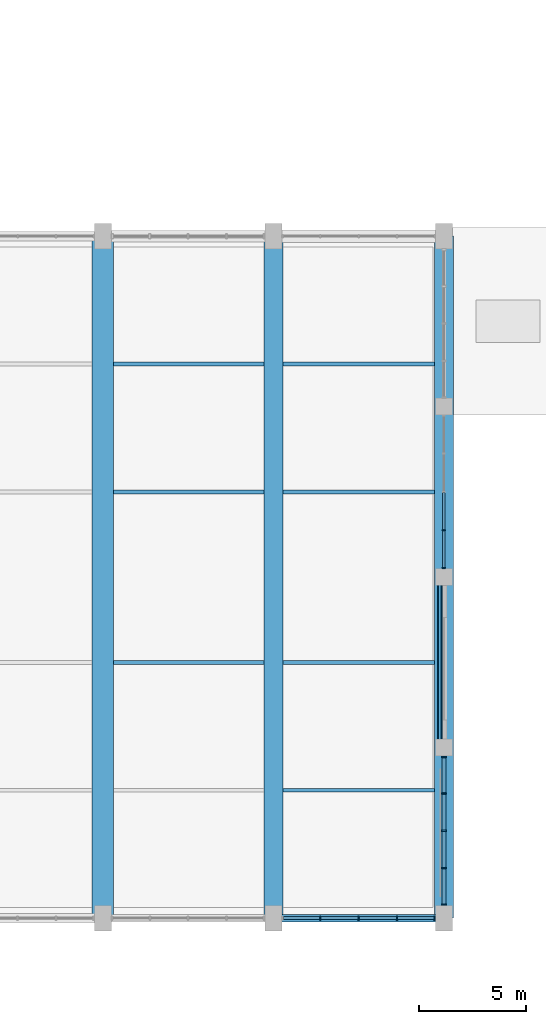
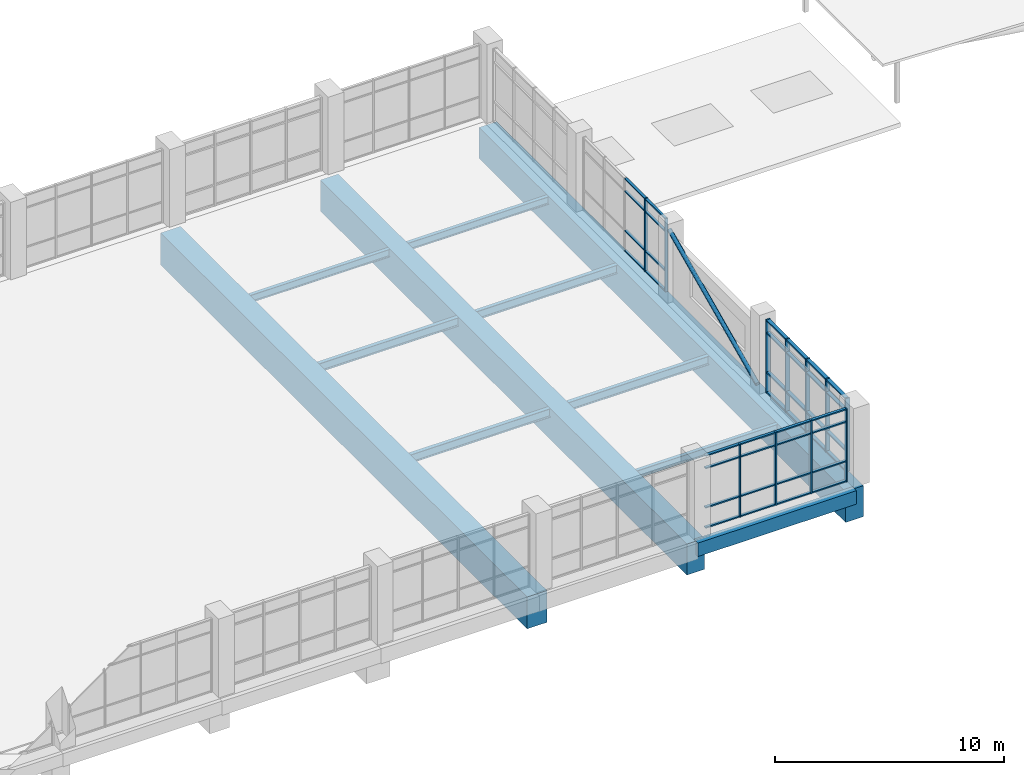
# One storey, part 8 of 84: 52 members, 11 beams, 3 elements without a shape of their own.
"""IFC4 building model written with IfcOpenShell, lengths in metres."""

from ifc_helpers import new_model, si_unit, direction, frame, origin, origin_2d, place, context, subcontext, project, spatial, rectangle, hollow_circle, i_section, extrude, material, material_profile, profile_set, type_object, element, aggregate, save


model = new_model("IFC4")

# Units and contexts
model_context = context("Model", 3, precision=1e-05, world=origin(), true_north=direction((0.0, 1.0)))
body_context = subcontext(model_context, "Body", "Model", "MODEL_VIEW")
ifc_project = project(units=[si_unit("LENGTHUNIT", "METRE"), si_unit("AREAUNIT", "SQUARE_METRE"), si_unit("VOLUMEUNIT", "CUBIC_METRE"), si_unit("PLANEANGLEUNIT", "RADIAN"), si_unit("MASSUNIT", "GRAM", prefix="KILO")], contexts=[model_context])

# Site, building, storey
site_placement = place(None, origin())
site = spatial("IfcSite", under=ifc_project, at=site_placement, CompositionType="ELEMENT")
building_placement = place(site_placement, origin())
building = spatial("IfcBuilding", under=site, at=building_placement, Name="Tenunan Teduh Sports Hall", CompositionType="ELEMENT")
storey_placement = place(building_placement, frame((0.0, 0.0, 10.800048828125)))
storey = spatial("IfcBuildingStorey", under=building, at=storey_placement, Name="L02", CompositionType="ELEMENT", Elevation=10.800048828125)

# Beam
ifc_material_1 = material(Name="Concrete C40/50", Category="concrete")
ifc_material_profile_1 = material_profile(ifc_material_1, rectangle(XDim=0.35009765625, YDim=0.719970703125, at=origin_2d()), Name="TB 350x720")
ifc_profile_set_1 = profile_set([ifc_material_profile_1], Name="Concrete C40/50")
beam_type_1 = type_object("IfcBeamType", Name="BM-TB-350x720", PredefinedType="T_BEAM", material=ifc_profile_set_1)
beam_1_placement = place(storey_placement, frame((46.0, 14.0, -0.91015625), z_axis=(1.0, 0.0, 0.0), x_axis=(0.0, 1.0, 0.0)))
element("IfcBeam", 1, at=beam_1_placement, inside=storey, type_object=beam_type_1, Name="BM-TB-01-L02-1457", PredefinedType="T_BEAM", context=body_context, shape_type="SweptSolid", body=[
    extrude(rectangle(XDim=0.35009765625, YDim=0.719970703125, at=origin_2d()), origin(), (0.0, 0.0, 1.0), 8.0),
])

# Curtain wall, members
ifc_material_2 = material(Name="Anodised aluminium", Category="aluminium")
curtain_wall_type = type_object("IfcCurtainWallType", Name="CW-UNIT-2", PredefinedType="NOTDEFINED", material=ifc_material_2)
curtain_wall_1_placement = place(storey_placement, origin())
curtain_wall_1 = element("IfcCurtainWall", 2, at=curtain_wall_1_placement, inside=storey, type_object=curtain_wall_type, Name="CW-CWM-150-L02-071", PredefinedType="NOTDEFINED")
ifc_material_3 = material(Name="Anodised aluminium", Category="aluminium")
ifc_material_profile_2 = material_profile(ifc_material_3, rectangle(XDim=0.06005859375, YDim=0.14990234375, at=origin_2d()), Name="CWM 60x150")
ifc_profile_set_2 = profile_set([ifc_material_profile_2], Name="Anodised aluminium")
member_type_1 = type_object("IfcMemberType", Name="CWM-150", PredefinedType="MULLION", material=ifc_profile_set_2)
member_1_placement = place(storey_placement, frame((54.0, 30.429931640625, 0.0), z_axis=(0.0, 0.0, 1.0), x_axis=(0.0, 1.0, 0.0)))
member_1 = element("IfcMember", 3, at=member_1_placement, type_object=member_type_1, Name="CW-02 mullion 1", PredefinedType="MULLION", context=body_context, shape_type="SweptSolid", body=[
    extrude(rectangle(XDim=0.06005859375, YDim=0.14990234375, at=origin_2d()), origin(), (0.0, 0.0, 1.0), 3.89990234375),
])
member_2_placement = place(storey_placement, frame((54.0, 32.199951171875, 0.0), z_axis=(0.0, 0.0, 1.0), x_axis=(0.0, 1.0, 0.0)))
member_2 = element("IfcMember", 4, at=member_2_placement, type_object=member_type_1, Name="CW-02 mullion 2", PredefinedType="MULLION", context=body_context, shape_type="SweptSolid", body=[
    extrude(rectangle(XDim=0.06005859375, YDim=0.14990234375, at=origin_2d()), origin(), (0.0, 0.0, 1.0), 3.89990234375),
])

curtain_wall_2_placement = place(storey_placement, origin())
curtain_wall_2 = element("IfcCurtainWall", 5, at=curtain_wall_2_placement, inside=storey, type_object=curtain_wall_type, Name="CW-CWM-175-L02-066", PredefinedType="NOTDEFINED")
ifc_material_4 = material(Name="Anodised aluminium", Category="aluminium")
ifc_material_profile_3 = material_profile(ifc_material_4, rectangle(XDim=0.06494140625, YDim=0.175048828125, at=origin_2d()), Name="CWM 65x175")
ifc_profile_set_3 = profile_set([ifc_material_profile_3], Name="Anodised aluminium")
member_type_2 = type_object("IfcMemberType", Name="CWM-175", PredefinedType="MULLION", material=ifc_profile_set_3)
member_3_placement = place(storey_placement, frame((48.199951171875, 14.0, 0.0), z_axis=(0.0, 0.0, 1.0), x_axis=(1.0, 0.0, 0.0)))
member_3 = element("IfcMember", 6, at=member_3_placement, type_object=member_type_2, Name="CW-02 mullion 2", PredefinedType="MULLION", context=body_context, shape_type="SweptSolid", body=[
    extrude(rectangle(XDim=0.06494140625, YDim=0.175048828125, at=origin_2d()), origin(), (0.0, 0.0, 1.0), 3.89990234375),
])
member_4_placement = place(storey_placement, frame((50.0, 14.0, 0.0), z_axis=(0.0, 0.0, 1.0), x_axis=(1.0, 0.0, 0.0)))
member_4 = element("IfcMember", 7, at=member_4_placement, type_object=member_type_2, Name="CW-02 mullion 3", PredefinedType="MULLION", context=body_context, shape_type="SweptSolid", body=[
    extrude(rectangle(XDim=0.06494140625, YDim=0.175048828125, at=origin_2d()), origin(), (0.0, 0.0, 1.0), 3.89990234375),
])
member_5_placement = place(storey_placement, frame((51.800048828125, 14.0, 0.0), z_axis=(0.0, 0.0, 1.0), x_axis=(1.0, 0.0, 0.0)))
member_5 = element("IfcMember", 8, at=member_5_placement, type_object=member_type_2, Name="CW-02 mullion 4", PredefinedType="MULLION", context=body_context, shape_type="SweptSolid", body=[
    extrude(rectangle(XDim=0.06494140625, YDim=0.175048828125, at=origin_2d()), origin(), (0.0, 0.0, 1.0), 3.89990234375),
])
member_6_placement = place(storey_placement, frame((53.5673828125, 14.0, 0.0), z_axis=(0.0, 0.0, 1.0), x_axis=(1.0, 0.0, 0.0)))
member_6 = element("IfcMember", 9, at=member_6_placement, type_object=member_type_2, Name="CW-02 mullion 5", PredefinedType="MULLION", context=body_context, shape_type="SweptSolid", body=[
    extrude(rectangle(XDim=0.06494140625, YDim=0.175048828125, at=origin_2d()), origin(), (0.0, 0.0, 1.0), 3.89990234375),
])

curtain_wall_3_placement = place(storey_placement, origin())
curtain_wall_3 = element("IfcCurtainWall", 10, at=curtain_wall_3_placement, inside=storey, type_object=curtain_wall_type, Name="CW-CWM-220-L02-069", PredefinedType="NOTDEFINED")
ifc_material_5 = material(Name="Anodised aluminium", Category="aluminium")
ifc_material_profile_4 = material_profile(ifc_material_5, rectangle(XDim=0.074951171875, YDim=0.219970703125, at=origin_2d()), Name="CWM 75x220")
ifc_profile_set_4 = profile_set([ifc_material_profile_4], Name="Anodised aluminium")
member_type_3 = type_object("IfcMemberType", Name="CWM-220", PredefinedType="MULLION", material=ifc_profile_set_4)
member_7_placement = place(storey_placement, frame((54.0, 14.637451171875, 0.0), z_axis=(0.0, 0.0, 1.0), x_axis=(0.0, 1.0, 0.0)))
member_7 = element("IfcMember", 11, at=member_7_placement, type_object=member_type_3, Name="CW-02 mullion 1", PredefinedType="MULLION", context=body_context, shape_type="SweptSolid", body=[
    extrude(rectangle(XDim=0.074951171875, YDim=0.219970703125, at=origin_2d()), origin(), (0.0, 0.0, 1.0), 3.89990234375),
])
member_8_placement = place(storey_placement, frame((54.0, 16.35009765625, 0.0), z_axis=(0.0, 0.0, 1.0), x_axis=(0.0, 1.0, 0.0)))
member_8 = element("IfcMember", 12, at=member_8_placement, type_object=member_type_3, Name="CW-02 mullion 2", PredefinedType="MULLION", context=body_context, shape_type="SweptSolid", body=[
    extrude(rectangle(XDim=0.074951171875, YDim=0.219970703125, at=origin_2d()), origin(), (0.0, 0.0, 1.0), 3.89990234375),
])
member_9_placement = place(storey_placement, frame((54.0, 18.10009765625, 0.0), z_axis=(0.0, 0.0, 1.0), x_axis=(0.0, 1.0, 0.0)))
member_9 = element("IfcMember", 13, at=member_9_placement, type_object=member_type_3, Name="CW-02 mullion 3", PredefinedType="MULLION", context=body_context, shape_type="SweptSolid", body=[
    extrude(rectangle(XDim=0.074951171875, YDim=0.219970703125, at=origin_2d()), origin(), (0.0, 0.0, 1.0), 3.89990234375),
])
member_10_placement = place(storey_placement, frame((54.0, 19.85009765625, 0.0), z_axis=(0.0, 0.0, 1.0), x_axis=(0.0, 1.0, 0.0)))
member_10 = element("IfcMember", 14, at=member_10_placement, type_object=member_type_3, Name="CW-02 mullion 4", PredefinedType="MULLION", context=body_context, shape_type="SweptSolid", body=[
    extrude(rectangle(XDim=0.074951171875, YDim=0.219970703125, at=origin_2d()), origin(), (0.0, 0.0, 1.0), 3.89990234375),
])
member_11_placement = place(storey_placement, frame((54.0, 21.5625, 0.0), z_axis=(0.0, 0.0, 1.0), x_axis=(0.0, 1.0, 0.0)))
member_11 = element("IfcMember", 15, at=member_11_placement, type_object=member_type_3, Name="CW-02 mullion 5", PredefinedType="MULLION", context=body_context, shape_type="SweptSolid", body=[
    extrude(rectangle(XDim=0.074951171875, YDim=0.219970703125, at=origin_2d()), origin(), (0.0, 0.0, 1.0), 3.89990234375),
])

# Member
ifc_material_6 = material(Name="Anodised aluminium", Category="aluminium")
ifc_material_profile_5 = material_profile(ifc_material_6, rectangle(XDim=0.06005859375, YDim=0.1201171875, at=origin_2d()), Name="CWT 60x120")
ifc_profile_set_5 = profile_set([ifc_material_profile_5], Name="Anodised aluminium")
member_type_4 = type_object("IfcMemberType", Name="CWT-125", PredefinedType="USERDEFINED", material=ifc_profile_set_5)
member_12_placement = place(storey_placement, frame((54.0, 30.4599609375, 0.030029296875), z_axis=(0.0, 1.0, 0.0), x_axis=(0.0, 0.0, 1.0)))
member_12 = element("IfcMember", 16, at=member_12_placement, type_object=member_type_4, Name="CW-02 transom 1.1", ObjectType="TRANSOM", PredefinedType="USERDEFINED", context=body_context, shape_type="SweptSolid", body=[
    extrude(rectangle(XDim=0.06005859375, YDim=0.1201171875, at=origin_2d()), origin(), (0.0, 0.0, 1.0), 1.7099609375),
])

member_13_placement = place(storey_placement, frame((54.0, 30.4599609375, 1.099853515625), z_axis=(0.0, 1.0, 0.0), x_axis=(0.0, 0.0, 1.0)))
member_13 = element("IfcMember", 17, at=member_13_placement, type_object=member_type_4, Name="CW-02 transom 1.2", ObjectType="TRANSOM", PredefinedType="USERDEFINED", context=body_context, shape_type="SweptSolid", body=[
    extrude(rectangle(XDim=0.06005859375, YDim=0.1201171875, at=origin_2d()), origin(), (0.0, 0.0, 1.0), 1.7099609375),
])

member_14_placement = place(storey_placement, frame((54.0, 30.4599609375, 3.199951171875), z_axis=(0.0, 1.0, 0.0), x_axis=(0.0, 0.0, 1.0)))
member_14 = element("IfcMember", 18, at=member_14_placement, type_object=member_type_4, Name="CW-02 transom 1.3", ObjectType="TRANSOM", PredefinedType="USERDEFINED", context=body_context, shape_type="SweptSolid", body=[
    extrude(rectangle(XDim=0.06005859375, YDim=0.1201171875, at=origin_2d()), origin(), (0.0, 0.0, 1.0), 1.7099609375),
])

member_15_placement = place(storey_placement, frame((54.0, 30.4599609375, 3.869873046875), z_axis=(0.0, 1.0, 0.0), x_axis=(0.0, 0.0, 1.0)))
member_15 = element("IfcMember", 19, at=member_15_placement, type_object=member_type_4, Name="CW-02 transom 1.4", ObjectType="TRANSOM", PredefinedType="USERDEFINED", context=body_context, shape_type="SweptSolid", body=[
    extrude(rectangle(XDim=0.06005859375, YDim=0.1201171875, at=origin_2d()), origin(), (0.0, 0.0, 1.0), 1.7099609375),
])

member_16_placement = place(storey_placement, frame((54.0, 32.22998046875, 0.030029296875), z_axis=(0.0, 1.0, 0.0), x_axis=(0.0, 0.0, 1.0)))
member_16 = element("IfcMember", 20, at=member_16_placement, type_object=member_type_4, Name="CW-02 transom 2.1", ObjectType="TRANSOM", PredefinedType="USERDEFINED", context=body_context, shape_type="SweptSolid", body=[
    extrude(rectangle(XDim=0.06005859375, YDim=0.1201171875, at=origin_2d()), origin(), (0.0, 0.0, 1.0), 1.739990234375),
])

member_17_placement = place(storey_placement, frame((54.0, 32.22998046875, 1.099853515625), z_axis=(0.0, 1.0, 0.0), x_axis=(0.0, 0.0, 1.0)))
member_17 = element("IfcMember", 21, at=member_17_placement, type_object=member_type_4, Name="CW-02 transom 2.2", ObjectType="TRANSOM", PredefinedType="USERDEFINED", context=body_context, shape_type="SweptSolid", body=[
    extrude(rectangle(XDim=0.06005859375, YDim=0.1201171875, at=origin_2d()), origin(), (0.0, 0.0, 1.0), 1.739990234375),
])

member_18_placement = place(storey_placement, frame((54.0, 32.22998046875, 3.199951171875), z_axis=(0.0, 1.0, 0.0), x_axis=(0.0, 0.0, 1.0)))
member_18 = element("IfcMember", 22, at=member_18_placement, type_object=member_type_4, Name="CW-02 transom 2.3", ObjectType="TRANSOM", PredefinedType="USERDEFINED", context=body_context, shape_type="SweptSolid", body=[
    extrude(rectangle(XDim=0.06005859375, YDim=0.1201171875, at=origin_2d()), origin(), (0.0, 0.0, 1.0), 1.739990234375),
])

member_19_placement = place(storey_placement, frame((54.0, 32.22998046875, 3.869873046875), z_axis=(0.0, 1.0, 0.0), x_axis=(0.0, 0.0, 1.0)))
member_19 = element("IfcMember", 23, at=member_19_placement, type_object=member_type_4, Name="CW-02 transom 2.4", ObjectType="TRANSOM", PredefinedType="USERDEFINED", context=body_context, shape_type="SweptSolid", body=[
    extrude(rectangle(XDim=0.06005859375, YDim=0.1201171875, at=origin_2d()), origin(), (0.0, 0.0, 1.0), 1.739990234375),
])

aggregate(curtain_wall_1, [member_1, member_2, member_12, member_13, member_14, member_15, member_16, member_17, member_18, member_19])

ifc_material_7 = material(Name="Anodised aluminium", Category="aluminium")
ifc_material_profile_6 = material_profile(ifc_material_7, rectangle(XDim=0.06494140625, YDim=0.139892578125, at=origin_2d()), Name="CWT 65x140")
ifc_profile_set_6 = profile_set([ifc_material_profile_6], Name="Anodised aluminium")
member_type_5 = type_object("IfcMemberType", Name="CWT-150", PredefinedType="USERDEFINED", material=ifc_profile_set_6)
member_20_placement = place(storey_placement, frame((46.465087890625, 14.0, 0.032470703125), z_axis=(1.0, 0.0, 0.0), x_axis=(0.0, 0.0, 1.0)))
member_20 = element("IfcMember", 24, at=member_20_placement, type_object=member_type_5, Name="CW-02 transom 1.1", ObjectType="TRANSOM", PredefinedType="USERDEFINED", context=body_context, shape_type="SweptSolid", body=[
    extrude(rectangle(XDim=0.06494140625, YDim=0.139892578125, at=origin_2d()), origin(), (0.0, 0.0, 1.0), 1.702392578125),
])

member_21_placement = place(storey_placement, frame((46.465087890625, 14.0, 1.099853515625), z_axis=(1.0, 0.0, 0.0), x_axis=(0.0, 0.0, 1.0)))
member_21 = element("IfcMember", 25, at=member_21_placement, type_object=member_type_5, Name="CW-02 transom 1.2", ObjectType="TRANSOM", PredefinedType="USERDEFINED", context=body_context, shape_type="SweptSolid", body=[
    extrude(rectangle(XDim=0.06494140625, YDim=0.139892578125, at=origin_2d()), origin(), (0.0, 0.0, 1.0), 1.702392578125),
])

member_22_placement = place(storey_placement, frame((46.465087890625, 14.0, 3.199951171875), z_axis=(1.0, 0.0, 0.0), x_axis=(0.0, 0.0, 1.0)))
member_22 = element("IfcMember", 26, at=member_22_placement, type_object=member_type_5, Name="CW-02 transom 1.3", ObjectType="TRANSOM", PredefinedType="USERDEFINED", context=body_context, shape_type="SweptSolid", body=[
    extrude(rectangle(XDim=0.06494140625, YDim=0.139892578125, at=origin_2d()), origin(), (0.0, 0.0, 1.0), 1.702392578125),
])

member_23_placement = place(storey_placement, frame((46.465087890625, 14.0, 3.867431640625), z_axis=(1.0, 0.0, 0.0), x_axis=(0.0, 0.0, 1.0)))
member_23 = element("IfcMember", 27, at=member_23_placement, type_object=member_type_5, Name="CW-02 transom 1.4", ObjectType="TRANSOM", PredefinedType="USERDEFINED", context=body_context, shape_type="SweptSolid", body=[
    extrude(rectangle(XDim=0.06494140625, YDim=0.139892578125, at=origin_2d()), origin(), (0.0, 0.0, 1.0), 1.702392578125),
])

member_24_placement = place(storey_placement, frame((48.232421875, 14.0, 0.032470703125), z_axis=(1.0, 0.0, 0.0), x_axis=(0.0, 0.0, 1.0)))
member_24 = element("IfcMember", 28, at=member_24_placement, type_object=member_type_5, Name="CW-02 transom 2.1", ObjectType="TRANSOM", PredefinedType="USERDEFINED", context=body_context, shape_type="SweptSolid", body=[
    extrude(rectangle(XDim=0.06494140625, YDim=0.139892578125, at=origin_2d()), origin(), (0.0, 0.0, 1.0), 1.735107421875),
])

member_25_placement = place(storey_placement, frame((48.232421875, 14.0, 1.099853515625), z_axis=(1.0, 0.0, 0.0), x_axis=(0.0, 0.0, 1.0)))
member_25 = element("IfcMember", 29, at=member_25_placement, type_object=member_type_5, Name="CW-02 transom 2.2", ObjectType="TRANSOM", PredefinedType="USERDEFINED", context=body_context, shape_type="SweptSolid", body=[
    extrude(rectangle(XDim=0.06494140625, YDim=0.139892578125, at=origin_2d()), origin(), (0.0, 0.0, 1.0), 1.735107421875),
])

member_26_placement = place(storey_placement, frame((48.232421875, 14.0, 3.199951171875), z_axis=(1.0, 0.0, 0.0), x_axis=(0.0, 0.0, 1.0)))
member_26 = element("IfcMember", 30, at=member_26_placement, type_object=member_type_5, Name="CW-02 transom 2.3", ObjectType="TRANSOM", PredefinedType="USERDEFINED", context=body_context, shape_type="SweptSolid", body=[
    extrude(rectangle(XDim=0.06494140625, YDim=0.139892578125, at=origin_2d()), origin(), (0.0, 0.0, 1.0), 1.735107421875),
])

member_27_placement = place(storey_placement, frame((48.232421875, 14.0, 3.867431640625), z_axis=(1.0, 0.0, 0.0), x_axis=(0.0, 0.0, 1.0)))
member_27 = element("IfcMember", 31, at=member_27_placement, type_object=member_type_5, Name="CW-02 transom 2.4", ObjectType="TRANSOM", PredefinedType="USERDEFINED", context=body_context, shape_type="SweptSolid", body=[
    extrude(rectangle(XDim=0.06494140625, YDim=0.139892578125, at=origin_2d()), origin(), (0.0, 0.0, 1.0), 1.735107421875),
])

member_28_placement = place(storey_placement, frame((50.032470703125, 14.0, 0.032470703125), z_axis=(1.0, 0.0, 0.0), x_axis=(0.0, 0.0, 1.0)))
member_28 = element("IfcMember", 32, at=member_28_placement, type_object=member_type_5, Name="CW-02 transom 3.1", ObjectType="TRANSOM", PredefinedType="USERDEFINED", context=body_context, shape_type="SweptSolid", body=[
    extrude(rectangle(XDim=0.06494140625, YDim=0.139892578125, at=origin_2d()), origin(), (0.0, 0.0, 1.0), 1.735107421875),
])

member_29_placement = place(storey_placement, frame((50.032470703125, 14.0, 1.099853515625), z_axis=(1.0, 0.0, 0.0), x_axis=(0.0, 0.0, 1.0)))
member_29 = element("IfcMember", 33, at=member_29_placement, type_object=member_type_5, Name="CW-02 transom 3.2", ObjectType="TRANSOM", PredefinedType="USERDEFINED", context=body_context, shape_type="SweptSolid", body=[
    extrude(rectangle(XDim=0.06494140625, YDim=0.139892578125, at=origin_2d()), origin(), (0.0, 0.0, 1.0), 1.735107421875),
])

member_30_placement = place(storey_placement, frame((50.032470703125, 14.0, 3.199951171875), z_axis=(1.0, 0.0, 0.0), x_axis=(0.0, 0.0, 1.0)))
member_30 = element("IfcMember", 34, at=member_30_placement, type_object=member_type_5, Name="CW-02 transom 3.3", ObjectType="TRANSOM", PredefinedType="USERDEFINED", context=body_context, shape_type="SweptSolid", body=[
    extrude(rectangle(XDim=0.06494140625, YDim=0.139892578125, at=origin_2d()), origin(), (0.0, 0.0, 1.0), 1.735107421875),
])

member_31_placement = place(storey_placement, frame((50.032470703125, 14.0, 3.867431640625), z_axis=(1.0, 0.0, 0.0), x_axis=(0.0, 0.0, 1.0)))
member_31 = element("IfcMember", 35, at=member_31_placement, type_object=member_type_5, Name="CW-02 transom 3.4", ObjectType="TRANSOM", PredefinedType="USERDEFINED", context=body_context, shape_type="SweptSolid", body=[
    extrude(rectangle(XDim=0.06494140625, YDim=0.139892578125, at=origin_2d()), origin(), (0.0, 0.0, 1.0), 1.735107421875),
])

member_32_placement = place(storey_placement, frame((51.83251953125, 14.0, 0.032470703125), z_axis=(1.0, 0.0, 0.0), x_axis=(0.0, 0.0, 1.0)))
member_32 = element("IfcMember", 36, at=member_32_placement, type_object=member_type_5, Name="CW-02 transom 4.1", ObjectType="TRANSOM", PredefinedType="USERDEFINED", context=body_context, shape_type="SweptSolid", body=[
    extrude(rectangle(XDim=0.06494140625, YDim=0.139892578125, at=origin_2d()), origin(), (0.0, 0.0, 1.0), 1.702392578125),
])

member_33_placement = place(storey_placement, frame((51.83251953125, 14.0, 1.099853515625), z_axis=(1.0, 0.0, 0.0), x_axis=(0.0, 0.0, 1.0)))
member_33 = element("IfcMember", 37, at=member_33_placement, type_object=member_type_5, Name="CW-02 transom 4.2", ObjectType="TRANSOM", PredefinedType="USERDEFINED", context=body_context, shape_type="SweptSolid", body=[
    extrude(rectangle(XDim=0.06494140625, YDim=0.139892578125, at=origin_2d()), origin(), (0.0, 0.0, 1.0), 1.702392578125),
])

member_34_placement = place(storey_placement, frame((51.83251953125, 14.0, 3.199951171875), z_axis=(1.0, 0.0, 0.0), x_axis=(0.0, 0.0, 1.0)))
member_34 = element("IfcMember", 38, at=member_34_placement, type_object=member_type_5, Name="CW-02 transom 4.3", ObjectType="TRANSOM", PredefinedType="USERDEFINED", context=body_context, shape_type="SweptSolid", body=[
    extrude(rectangle(XDim=0.06494140625, YDim=0.139892578125, at=origin_2d()), origin(), (0.0, 0.0, 1.0), 1.702392578125),
])

member_35_placement = place(storey_placement, frame((51.83251953125, 14.0, 3.867431640625), z_axis=(1.0, 0.0, 0.0), x_axis=(0.0, 0.0, 1.0)))
member_35 = element("IfcMember", 39, at=member_35_placement, type_object=member_type_5, Name="CW-02 transom 4.4", ObjectType="TRANSOM", PredefinedType="USERDEFINED", context=body_context, shape_type="SweptSolid", body=[
    extrude(rectangle(XDim=0.06494140625, YDim=0.139892578125, at=origin_2d()), origin(), (0.0, 0.0, 1.0), 1.702392578125),
])

aggregate(curtain_wall_2, [member_3, member_4, member_5, member_6, member_20, member_21, member_22, member_23, member_24, member_25, member_26, member_27, member_28, member_29, member_30, member_31, member_32, member_33, member_34, member_35])

ifc_material_8 = material(Name="Anodised aluminium", Category="aluminium")
ifc_material_profile_7 = material_profile(ifc_material_8, rectangle(XDim=0.074951171875, YDim=0.179931640625, at=origin_2d()), Name="CWT 75x180")
ifc_profile_set_7 = profile_set([ifc_material_profile_7], Name="Anodised aluminium")
member_type_6 = type_object("IfcMemberType", Name="CWT-180", PredefinedType="USERDEFINED", material=ifc_profile_set_7)
member_36_placement = place(storey_placement, frame((54.0, 14.675048828125, 0.037353515625), z_axis=(0.0, 1.0, 0.0), x_axis=(0.0, 0.0, 1.0)))
member_36 = element("IfcMember", 40, at=member_36_placement, type_object=member_type_6, Name="CW-02 transom 1.1", ObjectType="TRANSOM", PredefinedType="USERDEFINED", context=body_context, shape_type="SweptSolid", body=[
    extrude(rectangle(XDim=0.074951171875, YDim=0.179931640625, at=origin_2d()), origin(), (0.0, 0.0, 1.0), 1.637451171875),
])

member_37_placement = place(storey_placement, frame((54.0, 14.675048828125, 1.099853515625), z_axis=(0.0, 1.0, 0.0), x_axis=(0.0, 0.0, 1.0)))
member_37 = element("IfcMember", 41, at=member_37_placement, type_object=member_type_6, Name="CW-02 transom 1.2", ObjectType="TRANSOM", PredefinedType="USERDEFINED", context=body_context, shape_type="SweptSolid", body=[
    extrude(rectangle(XDim=0.074951171875, YDim=0.179931640625, at=origin_2d()), origin(), (0.0, 0.0, 1.0), 1.637451171875),
])

member_38_placement = place(storey_placement, frame((54.0, 14.675048828125, 3.199951171875), z_axis=(0.0, 1.0, 0.0), x_axis=(0.0, 0.0, 1.0)))
member_38 = element("IfcMember", 42, at=member_38_placement, type_object=member_type_6, Name="CW-02 transom 1.3", ObjectType="TRANSOM", PredefinedType="USERDEFINED", context=body_context, shape_type="SweptSolid", body=[
    extrude(rectangle(XDim=0.074951171875, YDim=0.179931640625, at=origin_2d()), origin(), (0.0, 0.0, 1.0), 1.637451171875),
])

member_39_placement = place(storey_placement, frame((54.0, 14.675048828125, 3.862548828125), z_axis=(0.0, 1.0, 0.0), x_axis=(0.0, 0.0, 1.0)))
member_39 = element("IfcMember", 43, at=member_39_placement, type_object=member_type_6, Name="CW-02 transom 1.4", ObjectType="TRANSOM", PredefinedType="USERDEFINED", context=body_context, shape_type="SweptSolid", body=[
    extrude(rectangle(XDim=0.074951171875, YDim=0.179931640625, at=origin_2d()), origin(), (0.0, 0.0, 1.0), 1.637451171875),
])

member_40_placement = place(storey_placement, frame((54.0, 16.387451171875, 0.037353515625), z_axis=(0.0, 1.0, 0.0), x_axis=(0.0, 0.0, 1.0)))
member_40 = element("IfcMember", 44, at=member_40_placement, type_object=member_type_6, Name="CW-02 transom 2.1", ObjectType="TRANSOM", PredefinedType="USERDEFINED", context=body_context, shape_type="SweptSolid", body=[
    extrude(rectangle(XDim=0.074951171875, YDim=0.179931640625, at=origin_2d()), origin(), (0.0, 0.0, 1.0), 1.675048828125),
])

member_41_placement = place(storey_placement, frame((54.0, 16.387451171875, 1.099853515625), z_axis=(0.0, 1.0, 0.0), x_axis=(0.0, 0.0, 1.0)))
member_41 = element("IfcMember", 45, at=member_41_placement, type_object=member_type_6, Name="CW-02 transom 2.2", ObjectType="TRANSOM", PredefinedType="USERDEFINED", context=body_context, shape_type="SweptSolid", body=[
    extrude(rectangle(XDim=0.074951171875, YDim=0.179931640625, at=origin_2d()), origin(), (0.0, 0.0, 1.0), 1.675048828125),
])

member_42_placement = place(storey_placement, frame((54.0, 16.387451171875, 3.199951171875), z_axis=(0.0, 1.0, 0.0), x_axis=(0.0, 0.0, 1.0)))
member_42 = element("IfcMember", 46, at=member_42_placement, type_object=member_type_6, Name="CW-02 transom 2.3", ObjectType="TRANSOM", PredefinedType="USERDEFINED", context=body_context, shape_type="SweptSolid", body=[
    extrude(rectangle(XDim=0.074951171875, YDim=0.179931640625, at=origin_2d()), origin(), (0.0, 0.0, 1.0), 1.675048828125),
])

member_43_placement = place(storey_placement, frame((54.0, 16.387451171875, 3.862548828125), z_axis=(0.0, 1.0, 0.0), x_axis=(0.0, 0.0, 1.0)))
member_43 = element("IfcMember", 47, at=member_43_placement, type_object=member_type_6, Name="CW-02 transom 2.4", ObjectType="TRANSOM", PredefinedType="USERDEFINED", context=body_context, shape_type="SweptSolid", body=[
    extrude(rectangle(XDim=0.074951171875, YDim=0.179931640625, at=origin_2d()), origin(), (0.0, 0.0, 1.0), 1.675048828125),
])

member_44_placement = place(storey_placement, frame((54.0, 18.137451171875, 0.037353515625), z_axis=(0.0, 1.0, 0.0), x_axis=(0.0, 0.0, 1.0)))
member_44 = element("IfcMember", 48, at=member_44_placement, type_object=member_type_6, Name="CW-02 transom 3.1", ObjectType="TRANSOM", PredefinedType="USERDEFINED", context=body_context, shape_type="SweptSolid", body=[
    extrude(rectangle(XDim=0.074951171875, YDim=0.179931640625, at=origin_2d()), origin(), (0.0, 0.0, 1.0), 1.675048828125),
])

member_45_placement = place(storey_placement, frame((54.0, 18.137451171875, 1.099853515625), z_axis=(0.0, 1.0, 0.0), x_axis=(0.0, 0.0, 1.0)))
member_45 = element("IfcMember", 49, at=member_45_placement, type_object=member_type_6, Name="CW-02 transom 3.2", ObjectType="TRANSOM", PredefinedType="USERDEFINED", context=body_context, shape_type="SweptSolid", body=[
    extrude(rectangle(XDim=0.074951171875, YDim=0.179931640625, at=origin_2d()), origin(), (0.0, 0.0, 1.0), 1.675048828125),
])

member_46_placement = place(storey_placement, frame((54.0, 18.137451171875, 3.199951171875), z_axis=(0.0, 1.0, 0.0), x_axis=(0.0, 0.0, 1.0)))
member_46 = element("IfcMember", 50, at=member_46_placement, type_object=member_type_6, Name="CW-02 transom 3.3", ObjectType="TRANSOM", PredefinedType="USERDEFINED", context=body_context, shape_type="SweptSolid", body=[
    extrude(rectangle(XDim=0.074951171875, YDim=0.179931640625, at=origin_2d()), origin(), (0.0, 0.0, 1.0), 1.675048828125),
])

member_47_placement = place(storey_placement, frame((54.0, 18.137451171875, 3.862548828125), z_axis=(0.0, 1.0, 0.0), x_axis=(0.0, 0.0, 1.0)))
member_47 = element("IfcMember", 51, at=member_47_placement, type_object=member_type_6, Name="CW-02 transom 3.4", ObjectType="TRANSOM", PredefinedType="USERDEFINED", context=body_context, shape_type="SweptSolid", body=[
    extrude(rectangle(XDim=0.074951171875, YDim=0.179931640625, at=origin_2d()), origin(), (0.0, 0.0, 1.0), 1.675048828125),
])

member_48_placement = place(storey_placement, frame((54.0, 19.887451171875, 0.037353515625), z_axis=(0.0, 1.0, 0.0), x_axis=(0.0, 0.0, 1.0)))
member_48 = element("IfcMember", 52, at=member_48_placement, type_object=member_type_6, Name="CW-02 transom 4.1", ObjectType="TRANSOM", PredefinedType="USERDEFINED", context=body_context, shape_type="SweptSolid", body=[
    extrude(rectangle(XDim=0.074951171875, YDim=0.179931640625, at=origin_2d()), origin(), (0.0, 0.0, 1.0), 1.637451171875),
])

member_49_placement = place(storey_placement, frame((54.0, 19.887451171875, 1.099853515625), z_axis=(0.0, 1.0, 0.0), x_axis=(0.0, 0.0, 1.0)))
member_49 = element("IfcMember", 53, at=member_49_placement, type_object=member_type_6, Name="CW-02 transom 4.2", ObjectType="TRANSOM", PredefinedType="USERDEFINED", context=body_context, shape_type="SweptSolid", body=[
    extrude(rectangle(XDim=0.074951171875, YDim=0.179931640625, at=origin_2d()), origin(), (0.0, 0.0, 1.0), 1.637451171875),
])

member_50_placement = place(storey_placement, frame((54.0, 19.887451171875, 3.199951171875), z_axis=(0.0, 1.0, 0.0), x_axis=(0.0, 0.0, 1.0)))
member_50 = element("IfcMember", 54, at=member_50_placement, type_object=member_type_6, Name="CW-02 transom 4.3", ObjectType="TRANSOM", PredefinedType="USERDEFINED", context=body_context, shape_type="SweptSolid", body=[
    extrude(rectangle(XDim=0.074951171875, YDim=0.179931640625, at=origin_2d()), origin(), (0.0, 0.0, 1.0), 1.637451171875),
])

member_51_placement = place(storey_placement, frame((54.0, 19.887451171875, 3.862548828125), z_axis=(0.0, 1.0, 0.0), x_axis=(0.0, 0.0, 1.0)))
member_51 = element("IfcMember", 55, at=member_51_placement, type_object=member_type_6, Name="CW-02 transom 4.4", ObjectType="TRANSOM", PredefinedType="USERDEFINED", context=body_context, shape_type="SweptSolid", body=[
    extrude(rectangle(XDim=0.074951171875, YDim=0.179931640625, at=origin_2d()), origin(), (0.0, 0.0, 1.0), 1.637451171875),
])

aggregate(curtain_wall_3, [member_7, member_8, member_9, member_10, member_11, member_36, member_37, member_38, member_39, member_40, member_41, member_42, member_43, member_44, member_45, member_46, member_47, member_48, member_49, member_50, member_51])

ifc_material_9 = material(Name="Steel S355", Category="steel")
ifc_material_profile_8 = material_profile(ifc_material_9, hollow_circle(Radius=0.109619140625, WallThickness=0.010009765625, at=origin_2d()), Name="CHS 219.1x10.0")
ifc_profile_set_8 = profile_set([ifc_material_profile_8], Name="Steel S355")
member_type_7 = type_object("IfcMemberType", Name="MEM-BR-CHS219", PredefinedType="BRACE", material=ifc_profile_set_8)
member_52_placement = place(storey_placement, frame((53.820068359375, 22.14990234375, 0.14990234375), z_axis=(0.0, 0.908133749762, 0.418680179305), x_axis=(-1.0, 0.0, 0.0)))
element("IfcMember", 56, at=member_52_placement, inside=storey, type_object=member_type_7, Name="MEM-GD-02-L02-1451", PredefinedType="BRACE", context=body_context, shape_type="SweptSolid", body=[
    extrude(hollow_circle(Radius=0.109619140625, WallThickness=0.010009765625, at=origin_2d()), origin(), (0.0, 0.0, 1.0), 8.479248046875),
])

# Beams
ifc_material_10 = material(Name="Post-tensioned concrete C50/60", Category="concrete")
ifc_material_profile_9 = material_profile(ifc_material_10, rectangle(XDim=1.0, YDim=1.699951171875, at=origin_2d()), Name="PTG 1000x1700")
ifc_profile_set_9 = profile_set([ifc_material_profile_9], Name="Post-tensioned concrete C50/60")
beam_type_2 = type_object("IfcBeamType", Name="PTG-1000x1700", PredefinedType="USERDEFINED", material=ifc_profile_set_9)
beam_2_placement = place(storey_placement, frame((38.0, 14.0, -1.400146484375), z_axis=(0.0, 1.0, 0.0), x_axis=(-1.0, 0.0, 0.0)))
element("IfcBeam", 57, at=beam_2_placement, inside=storey, type_object=beam_type_2, Name="Post-Tensioned Transfer Girder BM-PTG-05-L02-0021", ObjectType="TRANSFER GIRDER", PredefinedType="USERDEFINED", context=body_context, shape_type="SweptSolid", body=[
    extrude(rectangle(XDim=1.0, YDim=1.699951171875, at=origin_2d()), origin(), (0.0, 0.0, 1.0), 32.0),
])
ifc_material_11 = material(Name="Post-tensioned concrete C50/60", Category="concrete")
ifc_material_profile_10 = material_profile(ifc_material_11, rectangle(XDim=0.89990234375, YDim=1.64990234375, at=origin_2d()), Name="PTG 900x1650")
ifc_profile_set_10 = profile_set([ifc_material_profile_10], Name="Post-tensioned concrete C50/60")
beam_type_3 = type_object("IfcBeamType", Name="PTG-900x1650", PredefinedType="USERDEFINED", material=ifc_profile_set_10)
for number, where, z_axis, x_axis, name in (
    (58, (46.0, 14.0, -1.375), (0.0, 1.0, 0.0), (-1.0, 0.0, 0.0), "Post-Tensioned Transfer Girder BM-PTG-04-L02-0026"),
    (59, (54.0, 14.0, -1.375), (0.0, 1.0, 0.0), (-1.0, 0.0, 0.0), "Post-Tensioned Transfer Girder BM-PTG-04-L02-0031"),
):
    element("IfcBeam", number, at=place(storey_placement, frame(where, z_axis=z_axis, x_axis=x_axis)), inside=storey, type_object=beam_type_3, Name=name, ObjectType="TRANSFER GIRDER", PredefinedType="USERDEFINED", context=body_context, shape_type="SweptSolid", body=[
        extrude(rectangle(XDim=0.89990234375, YDim=1.64990234375, at=origin_2d()), origin(), (0.0, 0.0, 1.0), 32.0),
    ])
ifc_material_12 = material(Name="Steel S355", Category="steel")
ifc_material_profile_11 = material_profile(ifc_material_12, i_section(OverallWidth=0.177978515625, OverallDepth=0.406494140625, WebThickness=0.0078125, FlangeThickness=0.0126953125, FilletRadius=0.01025390625, at=origin_2d()), Name="UKB 406x178x60")
ifc_profile_set_11 = profile_set([ifc_material_profile_11], Name="Steel S355")
beam_type_4 = type_object("IfcBeamType", Name="SBM-UKB406", PredefinedType="BEAM", material=ifc_profile_set_11)
beam_3_placement = place(storey_placement, frame((38.5, 40.0, -0.753173828125), z_axis=(1.0, 0.0, 0.0), x_axis=(0.0, 1.0, 0.0)))
element("IfcBeam", 60, at=beam_3_placement, inside=storey, type_object=beam_type_4, Name="BM-SB-03-L02-0025", PredefinedType="BEAM", context=body_context, shape_type="SweptSolid", body=[
    extrude(i_section(OverallWidth=0.177978515625, OverallDepth=0.406494140625, WebThickness=0.0078125, FlangeThickness=0.0126953125, FilletRadius=0.01025390625, at=origin_2d()), origin(), (0.0, 0.0, 1.0), 7.050048828125),
])
for number, where, z_axis, x_axis, name in (
    (61, (46.449951171875, 20.0, -0.753173828125), (1.0, 0.0, 0.0), (0.0, 1.0, 0.0), "BM-SB-03-L02-0027"),
    (62, (46.449951171875, 40.0, -0.753173828125), (1.0, 0.0, 0.0), (0.0, 1.0, 0.0), "BM-SB-03-L02-0030"),
):
    element("IfcBeam", number, at=place(storey_placement, frame(where, z_axis=z_axis, x_axis=x_axis)), inside=storey, type_object=beam_type_4, Name=name, PredefinedType="BEAM", context=body_context, shape_type="SweptSolid", body=[
        extrude(i_section(OverallWidth=0.177978515625, OverallDepth=0.406494140625, WebThickness=0.0078125, FlangeThickness=0.0126953125, FilletRadius=0.01025390625, at=origin_2d()), origin(), (0.0, 0.0, 1.0), 7.10009765625),
    ])
ifc_material_13 = material(Name="Steel S355", Category="steel")
ifc_material_profile_12 = material_profile(ifc_material_13, i_section(OverallWidth=0.1904296875, OverallDepth=0.45703125, WebThickness=0.009033203125, FlangeThickness=0.014404296875, FilletRadius=0.01025390625, at=origin_2d()), Name="UKB 457x191x74")
ifc_profile_set_12 = profile_set([ifc_material_profile_12], Name="Steel S355")
beam_type_5 = type_object("IfcBeamType", Name="SBM-UKB457", PredefinedType="BEAM", material=ifc_profile_set_12)
for number, where, z_axis, x_axis, name in (
    (63, (38.5, 26.0, -0.778564453125), (1.0, 0.0, 0.0), (0.0, 1.0, 0.0), "BM-SB-04-L02-0023"),
    (64, (38.5, 34.0, -0.778564453125), (1.0, 0.0, 0.0), (0.0, 1.0, 0.0), "BM-SB-04-L02-0024"),
):
    element("IfcBeam", number, at=place(storey_placement, frame(where, z_axis=z_axis, x_axis=x_axis)), inside=storey, type_object=beam_type_5, Name=name, PredefinedType="BEAM", context=body_context, shape_type="SweptSolid", body=[
        extrude(i_section(OverallWidth=0.1904296875, OverallDepth=0.45703125, WebThickness=0.009033203125, FlangeThickness=0.014404296875, FilletRadius=0.01025390625, at=origin_2d()), origin(), (0.0, 0.0, 1.0), 7.050048828125),
    ])
for number, where, z_axis, x_axis, name in (
    (65, (46.449951171875, 26.0, -0.778564453125), (1.0, 0.0, 0.0), (0.0, 1.0, 0.0), "BM-SB-04-L02-0028"),
    (66, (46.449951171875, 34.0, -0.778564453125), (1.0, 0.0, 0.0), (0.0, 1.0, 0.0), "BM-SB-04-L02-0029"),
):
    element("IfcBeam", number, at=place(storey_placement, frame(where, z_axis=z_axis, x_axis=x_axis)), inside=storey, type_object=beam_type_5, Name=name, PredefinedType="BEAM", context=body_context, shape_type="SweptSolid", body=[
        extrude(i_section(OverallWidth=0.1904296875, OverallDepth=0.45703125, WebThickness=0.009033203125, FlangeThickness=0.014404296875, FilletRadius=0.01025390625, at=origin_2d()), origin(), (0.0, 0.0, 1.0), 7.10009765625),
    ])

save(model, "model.ifc")
